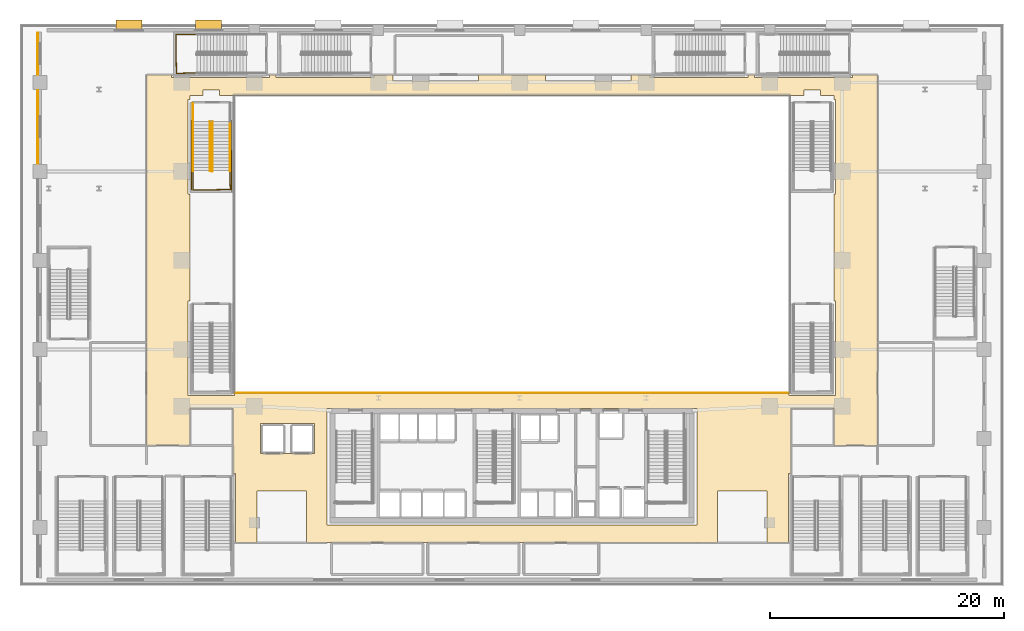
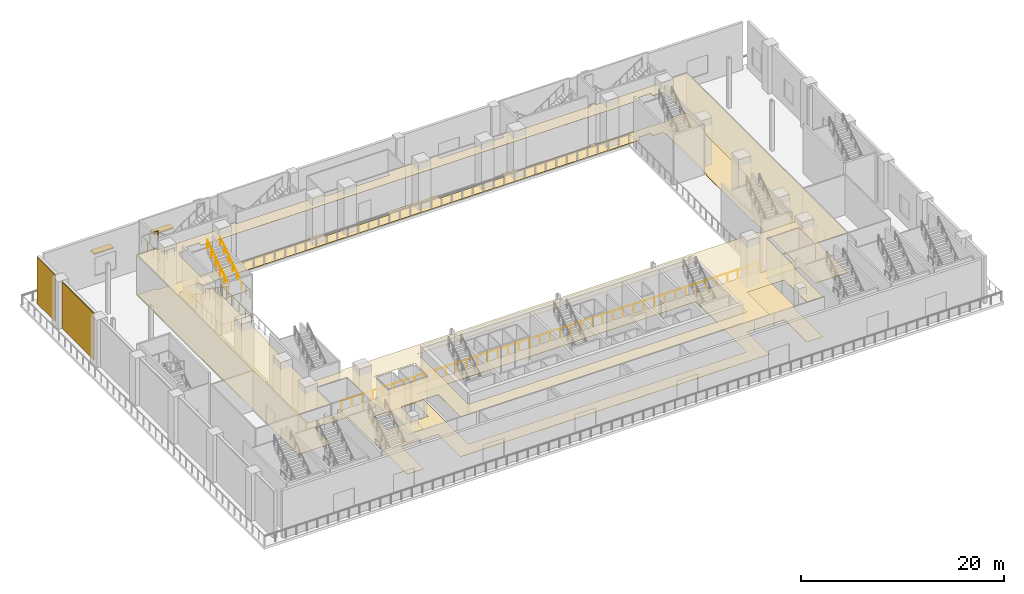
# One storey, part 21 of 29: 9 railings, 4 coverings, 2 shading devices.
"""IFC4 building model written with IfcOpenShell, lengths in metres."""

from ifc_helpers import new_model, si_unit, direction, frame, origin, origin_2d, place, context, subcontext, project, spatial, polyline, rectangle, circle, outline, extrude, material, layer, layer_set, type_object, element, save


model = new_model("IFC4")

# Units and contexts
model_context = context("Model", 3, precision=1e-05, world=origin(), true_north=direction((0.0, 1.0)))
body_context = subcontext(model_context, "Body", "Model", "MODEL_VIEW")
ifc_project = project(units=[si_unit("LENGTHUNIT", "METRE"), si_unit("AREAUNIT", "SQUARE_METRE"), si_unit("VOLUMEUNIT", "CUBIC_METRE"), si_unit("PLANEANGLEUNIT", "RADIAN"), si_unit("MASSUNIT", "GRAM", prefix="KILO")], contexts=[model_context])

# Site, building, storey
site_placement = place(None, origin())
site = spatial("IfcSite", under=ifc_project, at=site_placement, CompositionType="ELEMENT")
building_placement = place(site_placement, origin())
building = spatial("IfcBuilding", under=site, at=building_placement, Name="Ndaravel Arena Tower", CompositionType="ELEMENT")
storey_placement = place(building_placement, frame((0.0, 0.0, 12.0)))
storey = spatial("IfcBuildingStorey", under=building, at=storey_placement, Name="L02", CompositionType="ELEMENT", Elevation=12.0)

# Coverings
ifc_material_1 = material(Name="Acoustic Ceiling Tile", Category="finish")
ifc_layer_1 = layer(ifc_material_1, 0.02490234375)
ifc_layer_set_1 = layer_set([ifc_layer_1], Name="Acoustic Ceiling Tile")
covering_type_1 = type_object("IfcCoveringType", Name="COV-CEIL-AC600", PredefinedType="CEILING", material=ifc_layer_set_1)
covering_1_placement = place(storey_placement, frame((0.0, 0.0, 4.7890625)))
element("IfcCovering", 1, at=covering_1_placement, inside=storey, type_object=covering_type_1, Name="L02 Corridor Acoustic Ceiling", PredefinedType="CEILING", context=body_context, shape_type="SweptSolid", body=[
    extrude(outline(polyline([(59.550048828125, 3.699951171875), (59.550048828125, 8.10009765625), (63.75, 8.10009765625), (63.75, 3.699951171875), (65.60009765625, 3.699951171875), (65.60009765625, 9.60009765625), (65.800048828125, 9.60009765625), (65.800048828125, 15.14990234375), (69.5, 15.14990234375), (69.5, 12.0), (73.199951171875, 12.0), (73.199951171875, 43.64990234375), (71.050048828125, 43.64990234375), (71.050048828125, 43.409912109375), (62.699951171875, 43.409912109375), (62.699951171875, 43.64990234375), (62.14990234375, 43.64990234375), (62.14990234375, 43.409912109375), (53.800048828125, 43.409912109375), (53.800048828125, 43.64990234375), (52.14990234375, 43.64990234375), (52.14990234375, 43.110107421875), (44.85009765625, 43.110107421875), (44.85009765625, 43.64990234375), (39.14990234375, 43.64990234375), (39.14990234375, 43.110107421875), (31.85009765625, 43.110107421875), (31.85009765625, 43.64990234375), (30.199951171875, 43.64990234375), (30.199951171875, 43.409912109375), (21.85009765625, 43.409912109375), (21.85009765625, 43.64990234375), (21.300048828125, 43.64990234375), (21.300048828125, 43.409912109375), (12.949951171875, 43.409912109375), (12.949951171875, 43.64990234375), (10.800048828125, 43.64990234375), (10.800048828125, 12.0), (14.5, 12.0), (14.5, 15.14990234375), (18.199951171875, 15.14990234375), (18.199951171875, 9.60009765625), (18.39990234375, 9.60009765625), (18.39990234375, 3.699951171875), (20.25, 3.699951171875), (20.25, 8.10009765625), (24.449951171875, 8.10009765625), (24.449951171875, 3.699951171875), (26.199951171875, 3.699951171875), (57.800048828125, 3.699951171875), (59.550048828125, 3.699951171875)]), holes=[polyline([(69.5, 41.89990234375), (69.5, 41.550048828125), (69.610107421875, 41.550048828125), (69.610107421875, 33.449951171875), (69.5, 33.449951171875), (69.5, 24.35009765625), (69.610107421875, 24.35009765625), (69.610107421875, 16.25), (65.64990234375, 16.25), (65.64990234375, 16.5), (18.31005859375, 16.5), (18.31005859375, 16.25), (14.35009765625, 16.25), (14.35009765625, 24.35009765625), (14.5, 24.35009765625), (14.5, 33.449951171875), (14.35009765625, 33.449951171875), (14.35009765625, 41.550048828125), (14.5, 41.550048828125), (14.5, 41.89990234375), (15.6298828125, 41.89990234375), (15.6298828125, 42.35009765625), (17.030029296875, 42.35009765625), (17.030029296875, 41.89990234375), (66.929931640625, 41.89990234375), (66.929931640625, 42.35009765625), (68.330078125, 42.35009765625), (68.330078125, 41.89990234375), (69.5, 41.89990234375)]), polyline([(26.199951171875, 15.14990234375), (57.800048828125, 15.14990234375), (57.800048828125, 5.199951171875), (26.199951171875, 5.199951171875), (26.199951171875, 15.14990234375)]), polyline([(25.14990234375, 13.89990234375), (25.14990234375, 11.300048828125), (20.550048828125, 11.300048828125), (20.550048828125, 13.89990234375), (25.14990234375, 13.89990234375)])]), origin(), (0.0, 0.0, 1.0), 0.025146484375),
])
ifc_material_2 = material(Name="Terrazzo", Category="stone")
ifc_layer_2 = layer(ifc_material_2, 0.030029296875)
ifc_layer_set_2 = layer_set([ifc_layer_2], Name="Terrazzo")
covering_type_2 = type_object("IfcCoveringType", Name="COV-FLOOR-TERRAZZO", PredefinedType="FLOORING", material=ifc_layer_set_2)
covering_2_placement = place(storey_placement, origin())
element("IfcCovering", 2, at=covering_2_placement, inside=storey, type_object=covering_type_2, Name="L02 Corridor Terrazzo Flooring", PredefinedType="FLOORING", context=body_context, shape_type="SweptSolid", body=[
    extrude(outline(polyline([(59.550048828125, 3.699951171875), (59.550048828125, 8.10009765625), (63.75, 8.10009765625), (63.75, 3.699951171875), (65.60009765625, 3.699951171875), (65.60009765625, 9.60009765625), (65.800048828125, 9.60009765625), (65.800048828125, 15.14990234375), (69.5, 15.14990234375), (69.5, 12.0), (73.199951171875, 12.0), (73.199951171875, 43.64990234375), (71.050048828125, 43.64990234375), (71.050048828125, 43.409912109375), (62.699951171875, 43.409912109375), (62.699951171875, 43.64990234375), (62.14990234375, 43.64990234375), (62.14990234375, 43.409912109375), (53.800048828125, 43.409912109375), (53.800048828125, 43.64990234375), (52.14990234375, 43.64990234375), (52.14990234375, 43.110107421875), (44.85009765625, 43.110107421875), (44.85009765625, 43.64990234375), (39.14990234375, 43.64990234375), (39.14990234375, 43.110107421875), (31.85009765625, 43.110107421875), (31.85009765625, 43.64990234375), (30.199951171875, 43.64990234375), (30.199951171875, 43.409912109375), (21.85009765625, 43.409912109375), (21.85009765625, 43.64990234375), (21.300048828125, 43.64990234375), (21.300048828125, 43.409912109375), (12.949951171875, 43.409912109375), (12.949951171875, 43.64990234375), (10.800048828125, 43.64990234375), (10.800048828125, 12.0), (14.5, 12.0), (14.5, 15.14990234375), (18.199951171875, 15.14990234375), (18.199951171875, 9.60009765625), (18.39990234375, 9.60009765625), (18.39990234375, 3.699951171875), (20.25, 3.699951171875), (20.25, 8.10009765625), (24.449951171875, 8.10009765625), (24.449951171875, 3.699951171875), (26.199951171875, 3.699951171875), (57.800048828125, 3.699951171875), (59.550048828125, 3.699951171875)]), holes=[polyline([(69.5, 41.89990234375), (69.5, 41.550048828125), (69.610107421875, 41.550048828125), (69.610107421875, 33.449951171875), (69.5, 33.449951171875), (69.5, 24.35009765625), (69.610107421875, 24.35009765625), (69.610107421875, 16.25), (65.64990234375, 16.25), (65.64990234375, 16.5), (18.31005859375, 16.5), (18.31005859375, 16.25), (14.35009765625, 16.25), (14.35009765625, 24.35009765625), (14.5, 24.35009765625), (14.5, 33.449951171875), (14.35009765625, 33.449951171875), (14.35009765625, 41.550048828125), (14.5, 41.550048828125), (14.5, 41.89990234375), (15.6298828125, 41.89990234375), (15.6298828125, 42.35009765625), (17.030029296875, 42.35009765625), (17.030029296875, 41.89990234375), (66.929931640625, 41.89990234375), (66.929931640625, 42.35009765625), (68.330078125, 42.35009765625), (68.330078125, 41.89990234375), (69.5, 41.89990234375)]), polyline([(26.199951171875, 15.14990234375), (57.800048828125, 15.14990234375), (57.800048828125, 5.199951171875), (26.199951171875, 5.199951171875), (26.199951171875, 15.14990234375)]), polyline([(25.14990234375, 13.89990234375), (25.14990234375, 11.300048828125), (20.550048828125, 11.300048828125), (20.550048828125, 13.89990234375), (25.14990234375, 13.89990234375)])]), origin(), (0.0, 0.0, 1.0), 0.030029296875),
])
ifc_material_3 = material(Name="Masonry", Category="masonry")
ifc_layer_3 = layer(ifc_material_3, 0.06005859375)
ifc_layer_set_3 = layer_set([ifc_layer_3], Name="Masonry")
covering_type_3 = type_object("IfcCoveringType", Name="COV-STONE-CLAD", PredefinedType="CLADDING", material=ifc_layer_set_3)
covering_3_placement = place(storey_placement, frame((1.52001953125, 39.199951171875, 0.050048828125), z_axis=(0.0, 0.0, 1.0), x_axis=(1.0, 0.0, 0.0)))
element("IfcCovering", 3, at=covering_3_placement, inside=storey, type_object=covering_type_3, Name="L02 Honed Mazeras Ashlar Panel W6", PredefinedType="CLADDING", context=body_context, shape_type="SweptSolid", body=[
    extrude(rectangle(XDim=0.06005859375, YDim=6.260009765625, at=origin_2d()), origin(), (0.0, 0.0, 1.0), 5.60009765625),
])
covering_4_placement = place(storey_placement, frame((1.52001953125, 45.449951171875, 0.050048828125), z_axis=(0.0, 0.0, 1.0), x_axis=(1.0, 0.0, 0.0)))
element("IfcCovering", 4, at=covering_4_placement, inside=storey, type_object=covering_type_3, Name="L02 Honed Mazeras Ashlar Panel W7", PredefinedType="CLADDING", context=body_context, shape_type="SweptSolid", body=[
    extrude(rectangle(XDim=0.06005859375, YDim=3.60009765625, at=origin_2d()), origin(), (0.0, 0.0, 1.0), 5.60009765625),
])

# Railings
ifc_material_4 = material(Name="Steel S355", Category="steel")
ifc_layer_4 = layer(ifc_material_4, 0.06005859375)
ifc_layer_set_4 = layer_set([ifc_layer_4], Name="Steel S355")
railing_type_1 = type_object("IfcRailingType", Name="RAIL-STAIR-GD1100", PredefinedType="GUARDRAIL", material=ifc_layer_set_4)
railing_1_placement = place(storey_placement, frame((15.1298828125, 47.090087890625, 3.0)))
element("IfcRailing", 5, at=railing_1_placement, inside=storey, type_object=railing_type_1, Name="L02 ST-A08 stair guard 2", PredefinedType="GUARDRAIL", context=body_context, shape_type="SweptSolid", body=[
    extrude(circle(Radius=0.02392578125, at=origin_2d()), frame((0.0, 0.0, 1.076171875), z_axis=(-1.0, 0.0, 0.0), x_axis=(0.0, -1.0, 0.0)), (0.0, 0.0, 1.0), 1.829833984375),
    extrude(circle(Radius=0.02392578125, at=origin_2d()), frame((-1.829833984375, 0.0, 1.076171875), z_axis=(0.015027628384, -0.999887078817, 0.0), x_axis=(0.999887078817, 0.015027628384, 0.0)), (0.0, 0.0, 1.0), 3.33056640625),
    extrude(circle(Radius=0.02392578125, at=origin_2d()), frame((-1.77978515625, -3.330078125, 1.076171875), z_axis=(0.999604847084, 0.028109601324, 0.0), x_axis=(-0.028109601324, 0.999604847084, 0.0)), (0.0, 0.0, 1.0), 1.780517578125),
    extrude(circle(Radius=0.02099609375, at=origin_2d()), origin(), (0.0, 0.0, 1.0), 1.052001953125),
    extrude(circle(Radius=0.02099609375, at=origin_2d()), frame((-0.9150390625, 0.0, 0.0)), (0.0, 0.0, 1.0), 1.052001953125),
    extrude(circle(Radius=0.02099609375, at=origin_2d()), frame((-1.829833984375, 0.0, 0.0)), (0.0, 0.0, 1.0), 1.052001953125),
    extrude(circle(Radius=0.02099609375, at=origin_2d()), frame((-1.813232421875, -1.110107421875, 0.0)), (0.0, 0.0, 1.0), 1.052001953125),
    extrude(circle(Radius=0.02099609375, at=origin_2d()), frame((-1.79638671875, -2.219970703125, 0.0)), (0.0, 0.0, 1.0), 1.052001953125),
    extrude(circle(Radius=0.02099609375, at=origin_2d()), frame((-1.77978515625, -3.330078125, 0.0)), (0.0, 0.0, 1.0), 1.052001953125),
    extrude(circle(Radius=0.02099609375, at=origin_2d()), frame((-0.889892578125, -3.30517578125, 0.0)), (0.0, 0.0, 1.0), 1.052001953125),
    extrude(circle(Radius=0.02099609375, at=origin_2d()), frame((0.0, -3.280029296875, 0.0)), (0.0, 0.0, 1.0), 1.052001953125),
])
railing_2_placement = place(storey_placement, frame((16.2099609375, 39.639892578125, 0.1875)))
element("IfcRailing", 6, at=railing_2_placement, inside=storey, type_object=railing_type_1, Name="L02 ST-VOM-2 stair guard 1", PredefinedType="GUARDRAIL", context=body_context, shape_type="SweptSolid", body=[
    extrude(circle(Radius=0.02392578125, at=origin_2d()), frame((0.0, 0.0, 1.076171875), z_axis=(0.0, -0.830904186295, 0.556415522067), x_axis=(1.0, 0.0, 0.0)), (0.0, 0.0, 1.0), 5.0546875),
    extrude(circle(Radius=0.02392578125, at=origin_2d()), frame((0.0, -4.199951171875, 3.888671875), z_axis=(0.966993988697, -0.254799187253, 0.0), x_axis=(0.254799187253, 0.966993988697, 0.0)), (0.0, 0.0, 1.0), 0.196533203125),
    extrude(circle(Radius=0.02099609375, at=origin_2d()), origin(), (0.0, 0.0, 1.0), 1.052001953125),
    extrude(circle(Radius=0.02099609375, at=origin_2d()), frame((0.0, -0.840087890625, 0.5625)), (0.0, 0.0, 1.0), 1.052001953125),
    extrude(circle(Radius=0.02099609375, at=origin_2d()), frame((0.0, -1.679931640625, 1.125)), (0.0, 0.0, 1.0), 1.052001953125),
    extrude(circle(Radius=0.02099609375, at=origin_2d()), frame((0.0, -2.52001953125, 1.6875)), (0.0, 0.0, 1.0), 1.052001953125),
    extrude(circle(Radius=0.02099609375, at=origin_2d()), frame((0.0, -3.35986328125, 2.25)), (0.0, 0.0, 1.0), 1.052001953125),
    extrude(circle(Radius=0.02099609375, at=origin_2d()), frame((0.0, -4.199951171875, 2.8125)), (0.0, 0.0, 1.0), 1.052001953125),
    extrude(circle(Radius=0.02099609375, at=origin_2d()), frame((0.18994140625, -4.25, 2.8125)), (0.0, 0.0, 1.0), 1.052001953125),
])
railing_3_placement = place(storey_placement, frame((14.75, 35.43994140625, 3.0)))
element("IfcRailing", 7, at=railing_3_placement, inside=storey, type_object=railing_type_1, Name="L02 ST-VOM-2 stair guard 2", PredefinedType="GUARDRAIL", context=body_context, shape_type="SweptSolid", body=[
    extrude(circle(Radius=0.02392578125, at=origin_2d()), frame((0.0, 0.0, 1.076171875), z_axis=(0.0, -1.0, 0.0), x_axis=(1.0, 0.0, 0.0)), (0.0, 0.0, 1.0), 1.639892578125),
    extrude(circle(Radius=0.02392578125, at=origin_2d()), frame((0.0, -1.639892578125, 1.076171875), z_axis=(0.999878471214, 0.015589830134, 0.0), x_axis=(-0.015589830134, 0.999878471214, 0.0)), (0.0, 0.0, 1.0), 3.21044921875),
    extrude(circle(Radius=0.02392578125, at=origin_2d()), frame((3.2099609375, -1.58984375, 1.076171875), z_axis=(-0.031464756864, 0.999504861957, 0.0), x_axis=(-0.999504861957, -0.031464756864, 0.0)), (0.0, 0.0, 1.0), 1.590576171875),
    extrude(circle(Radius=0.02099609375, at=origin_2d()), origin(), (0.0, 0.0, 1.0), 1.052001953125),
    extrude(circle(Radius=0.02099609375, at=origin_2d()), frame((0.0, -0.81982421875, 0.0)), (0.0, 0.0, 1.0), 1.052001953125),
    extrude(circle(Radius=0.02099609375, at=origin_2d()), frame((0.0, -1.639892578125, 0.0)), (0.0, 0.0, 1.0), 1.052001953125),
    extrude(circle(Radius=0.02099609375, at=origin_2d()), frame((1.070068359375, -1.623291015625, 0.0)), (0.0, 0.0, 1.0), 1.052001953125),
    extrude(circle(Radius=0.02099609375, at=origin_2d()), frame((2.139892578125, -1.6064453125, 0.0)), (0.0, 0.0, 1.0), 1.052001953125),
    extrude(circle(Radius=0.02099609375, at=origin_2d()), frame((3.2099609375, -1.58984375, 0.0)), (0.0, 0.0, 1.0), 1.052001953125),
    extrude(circle(Radius=0.02099609375, at=origin_2d()), frame((3.18505859375, -0.794921875, 0.0)), (0.0, 0.0, 1.0), 1.052001953125),
    extrude(circle(Radius=0.02099609375, at=origin_2d()), frame((3.159912109375, 0.0, 0.0)), (0.0, 0.0, 1.0), 1.052001953125),
])
railing_4_placement = place(storey_placement, frame((16.449951171875, 35.43994140625, 3.1875)))
element("IfcRailing", 8, at=railing_4_placement, inside=storey, type_object=railing_type_1, Name="L02 ST-VOM-2 stair guard 3", PredefinedType="GUARDRAIL", context=body_context, shape_type="SweptSolid", body=[
    extrude(circle(Radius=0.02392578125, at=origin_2d()), frame((0.0, 0.0, 1.076171875), z_axis=(0.0, 0.830904186295, 0.556415522067), x_axis=(-1.0, 0.0, 0.0)), (0.0, 0.0, 1.0), 5.0546875),
    extrude(circle(Radius=0.02099609375, at=origin_2d()), origin(), (0.0, 0.0, 1.0), 1.052001953125),
    extrude(circle(Radius=0.02099609375, at=origin_2d()), frame((0.0, 0.840087890625, 0.5625)), (0.0, 0.0, 1.0), 1.052001953125),
    extrude(circle(Radius=0.02099609375, at=origin_2d()), frame((0.0, 1.679931640625, 1.125)), (0.0, 0.0, 1.0), 1.052001953125),
    extrude(circle(Radius=0.02099609375, at=origin_2d()), frame((0.0, 2.52001953125, 1.6875)), (0.0, 0.0, 1.0), 1.052001953125),
    extrude(circle(Radius=0.02099609375, at=origin_2d()), frame((0.0, 3.35986328125, 2.25)), (0.0, 0.0, 1.0), 1.052001953125),
    extrude(circle(Radius=0.02099609375, at=origin_2d()), frame((0.0, 4.199951171875, 2.8125)), (0.0, 0.0, 1.0), 1.052001953125),
])
railing_5_placement = place(storey_placement, frame((14.75, 41.199951171875, 0.0)))
element("IfcRailing", 9, at=railing_5_placement, inside=storey, type_object=railing_type_1, Name="L02 ST-VOM-2 stair guard 5", PredefinedType="GUARDRAIL", context=body_context, shape_type="SweptSolid", body=[
    extrude(circle(Radius=0.02392578125, at=origin_2d()), frame((0.0, 0.0, 1.076171875), z_axis=(0.0, -1.0, 0.0), x_axis=(1.0, 0.0, 0.0)), (0.0, 0.0, 1.0), 1.56005859375),
    extrude(circle(Radius=0.02099609375, at=origin_2d()), origin(), (0.0, 0.0, 1.0), 1.052001953125),
    extrude(circle(Radius=0.02099609375, at=origin_2d()), frame((0.0, -0.780029296875, 0.0)), (0.0, 0.0, 1.0), 1.052001953125),
    extrude(circle(Radius=0.02099609375, at=origin_2d()), frame((0.0, -1.56005859375, 0.0)), (0.0, 0.0, 1.0), 1.052001953125),
])
railing_6_placement = place(storey_placement, frame((14.64990234375, 39.739990234375, 0.0)))
element("IfcRailing", 10, at=railing_6_placement, inside=storey, type_object=railing_type_1, Name="L02 ST-VOM-2 stair guard 7", PredefinedType="GUARDRAIL", context=body_context, shape_type="SweptSolid", body=[
    extrude(circle(Radius=0.02392578125, at=origin_2d()), frame((0.0, 0.0, 1.076171875), z_axis=(0.0, -1.0, 0.0), x_axis=(1.0, 0.0, 0.0)), (0.0, 0.0, 1.0), 6.0400390625),
    extrude(circle(Radius=0.02392578125, at=origin_2d()), frame((0.0, -6.0400390625, 1.076171875), z_axis=(0.99989231899, 0.014674822837, 0.0), x_axis=(-0.014674822837, 0.99989231899, 0.0)), (0.0, 0.0, 1.0), 3.41064453125),
    extrude(circle(Radius=0.02392578125, at=origin_2d()), frame((3.41015625, -5.989990234375, 1.076171875), z_axis=(-0.008355118995, 0.999965095384, 0.0), x_axis=(-0.999965095384, -0.008355118995, 0.0)), (0.0, 0.0, 1.0), 5.990234375),
    extrude(circle(Radius=0.02099609375, at=origin_2d()), origin(), (0.0, 0.0, 1.0), 1.052001953125),
    extrude(circle(Radius=0.02099609375, at=origin_2d()), frame((0.0, -1.006591796875, 0.0)), (0.0, 0.0, 1.0), 1.052001953125),
    extrude(circle(Radius=0.02099609375, at=origin_2d()), frame((0.0, -2.013427734375, 0.0)), (0.0, 0.0, 1.0), 1.052001953125),
    extrude(circle(Radius=0.02099609375, at=origin_2d()), frame((0.0, -3.02001953125, 0.0)), (0.0, 0.0, 1.0), 1.052001953125),
    extrude(circle(Radius=0.02099609375, at=origin_2d()), frame((0.0, -4.026611328125, 0.0)), (0.0, 0.0, 1.0), 1.052001953125),
    extrude(circle(Radius=0.02099609375, at=origin_2d()), frame((0.0, -5.033447265625, 0.0)), (0.0, 0.0, 1.0), 1.052001953125),
    extrude(circle(Radius=0.02099609375, at=origin_2d()), frame((0.0, -6.0400390625, 0.0)), (0.0, 0.0, 1.0), 1.052001953125),
    extrude(circle(Radius=0.02099609375, at=origin_2d()), frame((1.13671875, -6.0234375, 0.0)), (0.0, 0.0, 1.0), 1.052001953125),
    extrude(circle(Radius=0.02099609375, at=origin_2d()), frame((2.2734375, -6.006591796875, 0.0)), (0.0, 0.0, 1.0), 1.052001953125),
    extrude(circle(Radius=0.02099609375, at=origin_2d()), frame((3.41015625, -5.989990234375, 0.0)), (0.0, 0.0, 1.0), 1.052001953125),
    extrude(circle(Radius=0.02099609375, at=origin_2d()), frame((3.400146484375, -4.7919921875, 0.0)), (0.0, 0.0, 1.0), 1.052001953125),
    extrude(circle(Radius=0.02099609375, at=origin_2d()), frame((3.39013671875, -3.593994140625, 0.0)), (0.0, 0.0, 1.0), 1.052001953125),
    extrude(circle(Radius=0.02099609375, at=origin_2d()), frame((3.380126953125, -2.39599609375, 0.0)), (0.0, 0.0, 1.0), 1.052001953125),
    extrude(circle(Radius=0.02099609375, at=origin_2d()), frame((3.3701171875, -1.197998046875, 0.0)), (0.0, 0.0, 1.0), 1.052001953125),
    extrude(circle(Radius=0.02099609375, at=origin_2d()), frame((3.360107421875, 0.0, 0.0)), (0.0, 0.0, 1.0), 1.052001953125),
])
ifc_material_5 = material(Name="Steel S355", Category="steel")
ifc_layer_5 = layer(ifc_material_5, 0.050048828125)
ifc_layer_set_5 = layer_set([ifc_layer_5], Name="Steel S355")
railing_type_2 = type_object("IfcRailingType", Name="RAIL-STAIR-HR920", PredefinedType="HANDRAIL", material=ifc_layer_set_5)
railing_7_placement = place(storey_placement, frame((14.75, 39.639892578125, 0.1875)))
element("IfcRailing", 11, at=railing_7_placement, inside=storey, type_object=railing_type_2, Name="L02 ST-VOM-2 stair handrail 1", PredefinedType="HANDRAIL", context=body_context, shape_type="SweptSolid", body=[
    extrude(circle(Radius=0.02392578125, at=origin_2d()), frame((0.0, 0.0, 0.8759765625), z_axis=(0.0, -0.830904186295, 0.556415522067), x_axis=(1.0, 0.0, 0.0)), (0.0, 0.0, 1.0), 5.0546875),
    extrude(circle(Radius=0.02099609375, at=origin_2d()), origin(), (0.0, 0.0, 1.0), 0.851806640625),
    extrude(circle(Radius=0.02099609375, at=origin_2d()), frame((0.0, -0.840087890625, 0.5625)), (0.0, 0.0, 1.0), 0.851806640625),
    extrude(circle(Radius=0.02099609375, at=origin_2d()), frame((0.0, -1.679931640625, 1.125)), (0.0, 0.0, 1.0), 0.851806640625),
    extrude(circle(Radius=0.02099609375, at=origin_2d()), frame((0.0, -2.52001953125, 1.6875)), (0.0, 0.0, 1.0), 0.851806640625),
    extrude(circle(Radius=0.02099609375, at=origin_2d()), frame((0.0, -3.35986328125, 2.25)), (0.0, 0.0, 1.0), 0.851806640625),
    extrude(circle(Radius=0.02099609375, at=origin_2d()), frame((0.0, -4.199951171875, 2.8125)), (0.0, 0.0, 1.0), 0.851806640625),
])
railing_8_placement = place(storey_placement, frame((17.909912109375, 35.43994140625, 3.1875)))
element("IfcRailing", 12, at=railing_8_placement, inside=storey, type_object=railing_type_2, Name="L02 ST-VOM-2 stair handrail 2", PredefinedType="HANDRAIL", context=body_context, shape_type="SweptSolid", body=[
    extrude(circle(Radius=0.02392578125, at=origin_2d()), frame((0.0, 0.0, 0.8759765625), z_axis=(0.0, 0.830904186295, 0.556415522067), x_axis=(-1.0, 0.0, 0.0)), (0.0, 0.0, 1.0), 5.0546875),
    extrude(circle(Radius=0.02099609375, at=origin_2d()), origin(), (0.0, 0.0, 1.0), 0.851806640625),
    extrude(circle(Radius=0.02099609375, at=origin_2d()), frame((0.0, 0.840087890625, 0.5625)), (0.0, 0.0, 1.0), 0.851806640625),
    extrude(circle(Radius=0.02099609375, at=origin_2d()), frame((0.0, 1.679931640625, 1.125)), (0.0, 0.0, 1.0), 0.851806640625),
    extrude(circle(Radius=0.02099609375, at=origin_2d()), frame((0.0, 2.52001953125, 1.6875)), (0.0, 0.0, 1.0), 0.851806640625),
    extrude(circle(Radius=0.02099609375, at=origin_2d()), frame((0.0, 3.35986328125, 2.25)), (0.0, 0.0, 1.0), 0.851806640625),
    extrude(circle(Radius=0.02099609375, at=origin_2d()), frame((0.0, 4.199951171875, 2.8125)), (0.0, 0.0, 1.0), 0.851806640625),
])
ifc_material_6 = material(Name="Glazing", Category="glass")
ifc_layer_6 = layer(ifc_material_6, 0.070068359375)
ifc_layer_set_6 = layer_set([ifc_layer_6], Name="Glazing")
railing_type_3 = type_object("IfcRailingType", Name="RAIL-TERRACE-1150", PredefinedType="BALUSTRADE", material=ifc_layer_set_6)
railing_9_placement = place(storey_placement, frame((18.320068359375, 16.47998046875, 0.0)))
element("IfcRailing", 13, at=railing_9_placement, inside=storey, type_object=railing_type_3, Name="L02 Arena Bowl Concourse S Balustrade", PredefinedType="BALUSTRADE", context=body_context, shape_type="SweptSolid", body=[
    extrude(circle(Radius=0.02392578125, at=origin_2d()), frame((0.0, 0.0, 1.1259765625), z_axis=(1.0, 0.0, 0.0), x_axis=(0.0, 1.0, 0.0)), (0.0, 0.0, 1.0), 47.35986328125),
    extrude(circle(Radius=0.02099609375, at=origin_2d()), origin(), (0.0, 0.0, 1.0), 1.101806640625),
    extrude(circle(Radius=0.02099609375, at=origin_2d()), frame((1.18408203125, 0.0, 0.0)), (0.0, 0.0, 1.0), 1.101806640625),
    extrude(circle(Radius=0.02099609375, at=origin_2d()), frame((2.367919921875, 0.0, 0.0)), (0.0, 0.0, 1.0), 1.101806640625),
    extrude(circle(Radius=0.02099609375, at=origin_2d()), frame((3.552001953125, 0.0, 0.0)), (0.0, 0.0, 1.0), 1.101806640625),
    extrude(circle(Radius=0.02099609375, at=origin_2d()), frame((4.736083984375, 0.0, 0.0)), (0.0, 0.0, 1.0), 1.101806640625),
    extrude(circle(Radius=0.02099609375, at=origin_2d()), frame((5.919921875, 0.0, 0.0)), (0.0, 0.0, 1.0), 1.101806640625),
    extrude(circle(Radius=0.02099609375, at=origin_2d()), frame((7.10400390625, 0.0, 0.0)), (0.0, 0.0, 1.0), 1.101806640625),
    extrude(circle(Radius=0.02099609375, at=origin_2d()), frame((8.2880859375, 0.0, 0.0)), (0.0, 0.0, 1.0), 1.101806640625),
    extrude(circle(Radius=0.02099609375, at=origin_2d()), frame((9.471923828125, 0.0, 0.0)), (0.0, 0.0, 1.0), 1.101806640625),
    extrude(circle(Radius=0.02099609375, at=origin_2d()), frame((10.656005859375, 0.0, 0.0)), (0.0, 0.0, 1.0), 1.101806640625),
    extrude(circle(Radius=0.02099609375, at=origin_2d()), frame((11.83984375, 0.0, 0.0)), (0.0, 0.0, 1.0), 1.101806640625),
    extrude(circle(Radius=0.02099609375, at=origin_2d()), frame((13.02392578125, 0.0, 0.0)), (0.0, 0.0, 1.0), 1.101806640625),
    extrude(circle(Radius=0.02099609375, at=origin_2d()), frame((14.2080078125, 0.0, 0.0)), (0.0, 0.0, 1.0), 1.101806640625),
    extrude(circle(Radius=0.02099609375, at=origin_2d()), frame((15.391845703125, 0.0, 0.0)), (0.0, 0.0, 1.0), 1.101806640625),
    extrude(circle(Radius=0.02099609375, at=origin_2d()), frame((16.575927734375, 0.0, 0.0)), (0.0, 0.0, 1.0), 1.101806640625),
    extrude(circle(Radius=0.02099609375, at=origin_2d()), frame((17.760009765625, 0.0, 0.0)), (0.0, 0.0, 1.0), 1.101806640625),
    extrude(circle(Radius=0.02099609375, at=origin_2d()), frame((18.94384765625, 0.0, 0.0)), (0.0, 0.0, 1.0), 1.101806640625),
    extrude(circle(Radius=0.02099609375, at=origin_2d()), frame((20.1279296875, 0.0, 0.0)), (0.0, 0.0, 1.0), 1.101806640625),
    extrude(circle(Radius=0.02099609375, at=origin_2d()), frame((21.31201171875, 0.0, 0.0)), (0.0, 0.0, 1.0), 1.101806640625),
    extrude(circle(Radius=0.02099609375, at=origin_2d()), frame((22.495849609375, 0.0, 0.0)), (0.0, 0.0, 1.0), 1.101806640625),
    extrude(circle(Radius=0.02099609375, at=origin_2d()), frame((23.679931640625, 0.0, 0.0)), (0.0, 0.0, 1.0), 1.101806640625),
    extrude(circle(Radius=0.02099609375, at=origin_2d()), frame((24.864013671875, 0.0, 0.0)), (0.0, 0.0, 1.0), 1.101806640625),
    extrude(circle(Radius=0.02099609375, at=origin_2d()), frame((26.0478515625, 0.0, 0.0)), (0.0, 0.0, 1.0), 1.101806640625),
    extrude(circle(Radius=0.02099609375, at=origin_2d()), frame((27.23193359375, 0.0, 0.0)), (0.0, 0.0, 1.0), 1.101806640625),
    extrude(circle(Radius=0.02099609375, at=origin_2d()), frame((28.416015625, 0.0, 0.0)), (0.0, 0.0, 1.0), 1.101806640625),
    extrude(circle(Radius=0.02099609375, at=origin_2d()), frame((29.599853515625, 0.0, 0.0)), (0.0, 0.0, 1.0), 1.101806640625),
    extrude(circle(Radius=0.02099609375, at=origin_2d()), frame((30.783935546875, 0.0, 0.0)), (0.0, 0.0, 1.0), 1.101806640625),
    extrude(circle(Radius=0.02099609375, at=origin_2d()), frame((31.968017578125, 0.0, 0.0)), (0.0, 0.0, 1.0), 1.101806640625),
    extrude(circle(Radius=0.02099609375, at=origin_2d()), frame((33.15185546875, 0.0, 0.0)), (0.0, 0.0, 1.0), 1.101806640625),
    extrude(circle(Radius=0.02099609375, at=origin_2d()), frame((34.3359375, 0.0, 0.0)), (0.0, 0.0, 1.0), 1.101806640625),
    extrude(circle(Radius=0.02099609375, at=origin_2d()), frame((35.52001953125, 0.0, 0.0)), (0.0, 0.0, 1.0), 1.101806640625),
    extrude(circle(Radius=0.02099609375, at=origin_2d()), frame((36.703857421875, 0.0, 0.0)), (0.0, 0.0, 1.0), 1.101806640625),
    extrude(circle(Radius=0.02099609375, at=origin_2d()), frame((37.887939453125, 0.0, 0.0)), (0.0, 0.0, 1.0), 1.101806640625),
    extrude(circle(Radius=0.02099609375, at=origin_2d()), frame((39.07177734375, 0.0, 0.0)), (0.0, 0.0, 1.0), 1.101806640625),
    extrude(circle(Radius=0.02099609375, at=origin_2d()), frame((40.255859375, 0.0, 0.0)), (0.0, 0.0, 1.0), 1.101806640625),
    extrude(circle(Radius=0.02099609375, at=origin_2d()), frame((41.43994140625, 0.0, 0.0)), (0.0, 0.0, 1.0), 1.101806640625),
    extrude(circle(Radius=0.02099609375, at=origin_2d()), frame((42.623779296875, 0.0, 0.0)), (0.0, 0.0, 1.0), 1.101806640625),
    extrude(circle(Radius=0.02099609375, at=origin_2d()), frame((43.807861328125, 0.0, 0.0)), (0.0, 0.0, 1.0), 1.101806640625),
    extrude(circle(Radius=0.02099609375, at=origin_2d()), frame((44.991943359375, 0.0, 0.0)), (0.0, 0.0, 1.0), 1.101806640625),
    extrude(circle(Radius=0.02099609375, at=origin_2d()), frame((46.17578125, 0.0, 0.0)), (0.0, 0.0, 1.0), 1.101806640625),
    extrude(circle(Radius=0.02099609375, at=origin_2d()), frame((47.35986328125, 0.0, 0.0)), (0.0, 0.0, 1.0), 1.101806640625),
])

# Shading devices
ifc_material_7 = material(Name="Aluminium", Category="aluminium")
shading_device_type = type_object("IfcShadingDeviceType", Name="SHD-POD-BRISE", PredefinedType="AWNING", material=ifc_material_7)
for number, where, z_axis, x_axis, name in (
    (14, (9.300048828125, 47.949951171875, 3.330078125), (0.0, 0.0, 1.0), (1.0, 0.0, 0.0), "L02 North Brise-Soleil 01"),
    (15, (16.10009765625, 47.949951171875, 3.330078125), (0.0, 0.0, 1.0), (1.0, 0.0, 0.0), "L02 North Brise-Soleil 02"),
):
    element("IfcShadingDevice", number, at=place(storey_placement, frame(where, z_axis=z_axis, x_axis=x_axis)), inside=storey, type_object=shading_device_type, Name=name, PredefinedType="AWNING", context=body_context, shape_type="SweptSolid", body=[
        extrude(rectangle(XDim=2.199951171875, YDim=0.75, at=origin_2d()), origin(), (0.0, 0.0, 1.0), 0.139892578125),
    ])

save(model, "model.ifc")
